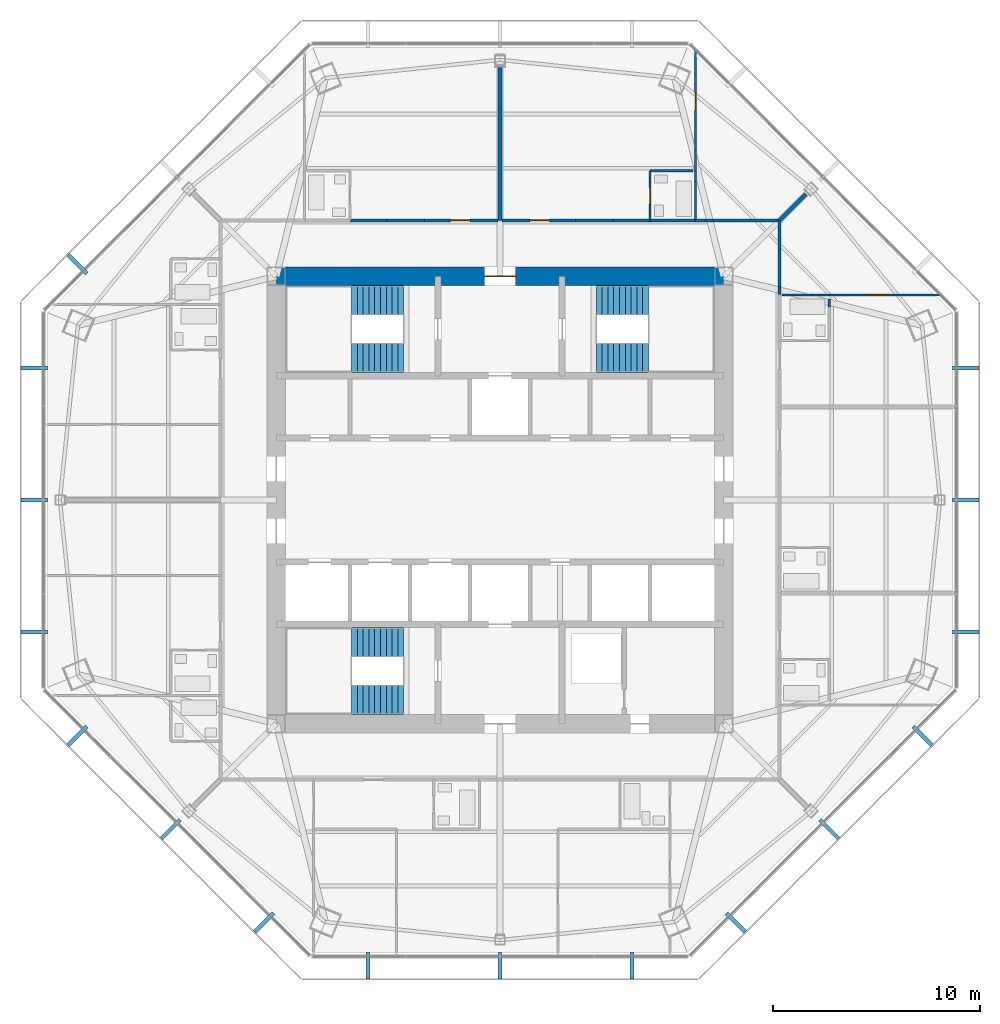
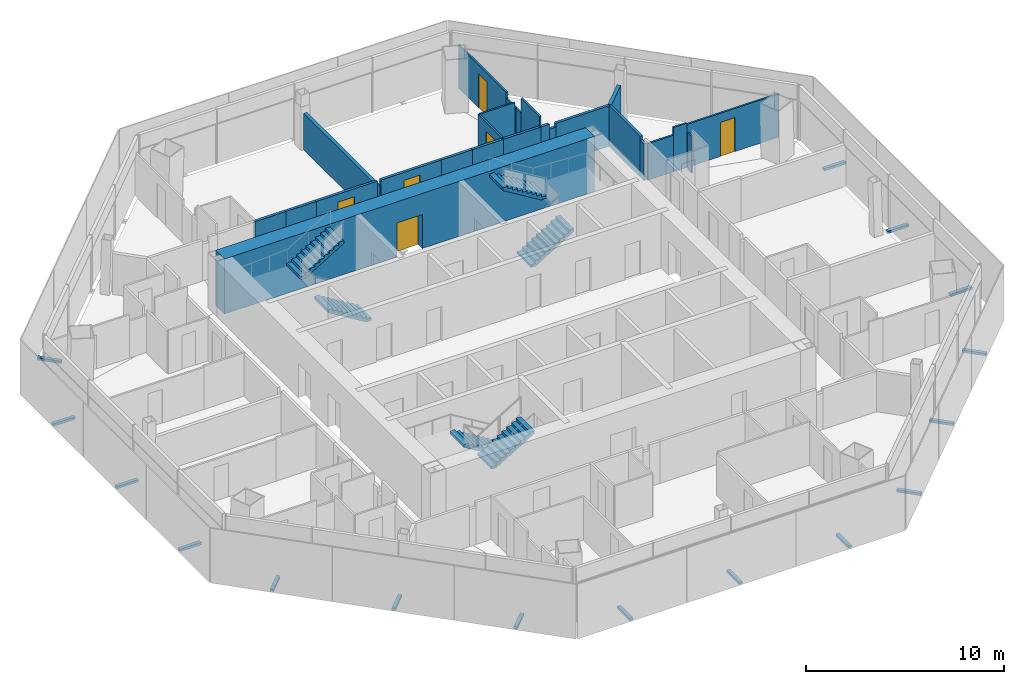
# One storey, part 12 of 15: 25 walls, 16 discrete accessories, 6 doors, 6 stair flights, 6 openings, 3 elements without a shape of their own.
"""IFC4 building model written with IfcOpenShell, lengths in metres."""

from ifc_helpers import new_model, si_unit, direction, frame, frame_2d, origin, origin_2d, place, context, subcontext, project, spatial, polyline, rectangle, outline, extrude, source, transform, mapped, material, layer, layer_set, type_object, type_shapes, element, fill, aggregate, save


model = new_model("IFC4")

# Units and contexts
model_context = context("Model", 3, precision=1e-05, world=origin(), true_north=direction((0.0, 1.0)))
body_context = subcontext(model_context, "Body", "Model", "MODEL_VIEW")
ifc_project = project(units=[si_unit("LENGTHUNIT", "METRE"), si_unit("AREAUNIT", "SQUARE_METRE"), si_unit("VOLUMEUNIT", "CUBIC_METRE"), si_unit("PLANEANGLEUNIT", "RADIAN"), si_unit("MASSUNIT", "GRAM", prefix="KILO")], contexts=[model_context])

# Site, building, storey
site_placement = place(None, origin())
site = spatial("IfcSite", under=ifc_project, at=site_placement, CompositionType="ELEMENT")
building_placement = place(site_placement, origin())
building = spatial("IfcBuilding", under=site, at=building_placement, Name="Mashrafa Tower", CompositionType="ELEMENT")
storey_placement = place(building_placement, frame((0.0, 0.0, 210.800048828125)))
storey = spatial("IfcBuildingStorey", under=building, at=storey_placement, Name="L48", CompositionType="ELEMENT", Elevation=210.800048828125)

# Walls
ifc_material_1 = material(Name="Gypsum board on steel studs", Category="steel")
ifc_layer_1 = layer(ifc_material_1, 0.199951171875)
ifc_layer_set_1 = layer_set([ifc_layer_1], Name="Acoustic partition 200 1 hr")
wall_type_1 = type_object("IfcWallType", Name="Acoustic partition 200 1 hr", PredefinedType="PARTITIONING", material=ifc_layer_set_1)
wall_1_placement = place(storey_placement, frame((14.768798828125, 14.768798828125, 0.0), z_axis=(0.0, 0.0, 1.0), x_axis=(-0.707106781187, -0.707106781187, 0.0)))
element("IfcWall", 1, at=wall_1_placement, inside=storey, type_object=wall_type_1, Name="Acoustic wall L48-076", PredefinedType="PARTITIONING", context=body_context, shape_type="SweptSolid", body=[
    extrude(rectangle(XDim=1.79443359375, YDim=0.199951171875, at=frame_2d((0.897216796875, 0.0))), origin(), (0.0, 0.0, 1.0), 2.51171875),
])
wall_2_placement = place(storey_placement, frame((0.0, 20.88623046875, 0.0), z_axis=(0.0, 0.0, 1.0), x_axis=(0.0, -1.0, 0.0)))
element("IfcWall", 2, at=wall_2_placement, inside=storey, type_object=wall_type_1, Name="Acoustic wall L48-086", PredefinedType="PARTITIONING", context=body_context, shape_type="SweptSolid", body=[
    extrude(rectangle(XDim=7.38623046875, YDim=0.199951171875, at=frame_2d((3.693115234375, 0.0))), origin(), (0.0, 0.0, 1.0), 2.2529296875),
])

# Wall, opening, door
ifc_material_2 = material(Name="Concrete C50/60", Category="concrete")
ifc_layer_2 = layer(ifc_material_2, 0.89990234375)
ifc_layer_set_2 = layer_set([ifc_layer_2], Name="Core wall 900 C50/60")
wall_type_2 = type_object("IfcWallType", Name="Core wall 900 C50/60", PredefinedType="SOLIDWALL", material=ifc_layer_set_2)
wall_3_placement = place(storey_placement, frame((10.800048828125, 10.800048828125, 0.0), z_axis=(0.0, 0.0, 1.0), x_axis=(-1.0, 0.0, 0.0)))
wall_3 = element("IfcWall", 3, at=wall_3_placement, inside=storey, type_object=wall_type_2, Name="Core wall CW-N L48", PredefinedType="SOLIDWALL", context=body_context, shape_type="SweptSolid", body=[
    extrude(rectangle(XDim=21.60009765625, YDim=0.89990234375, at=frame_2d((10.800048828125, 0.0))), origin(), (0.0, 0.0, 1.0), 3.39990234375),
])
opening_1_placement = place(wall_3_placement, frame((10.050048828125, 0.0, 0.0)))
opening_1 = element("IfcOpeningElement", 4, at=opening_1_placement, cuts=wall_3, Name="Opening 48.036", PredefinedType="OPENING", context=body_context, shape_type="SweptSolid", body=[
    extrude(rectangle(XDim=1.5, YDim=2.10009765625, at=frame_2d((0.75, 1.050048828125))), frame((0.0, 0.4599609375, 0.0), z_axis=(0.0, -1.0, 0.0), x_axis=(1.0, 0.0, 0.0)), (0.0, 0.0, 1.0), 0.919921875),
])
ifc_material_3 = material(Name="Steel door", Category="steel")
door_type_1 = type_object("IfcDoorType", Name="Lobby door pair 1500 x 2100 90 min", OperationType="DOUBLE_DOOR_SINGLE_SWING", PredefinedType="DOOR", material=ifc_material_3)
door_1_placement = place(opening_1_placement, origin())
door_1 = element("IfcDoor", 5, at=door_1_placement, inside=storey, type_object=door_type_1, Name="Fire-fighting lobby F1 door L48", OperationType="DOUBLE_DOOR_SINGLE_SWING", OverallHeight=2.10009765625, OverallWidth=1.5, PredefinedType="DOOR", context=body_context, shape_type="SweptSolid", body=[
    extrude(rectangle(XDim=1.5, YDim=2.10009765625, at=frame_2d((0.75, 1.050048828125))), frame((0.0, 0.02490234375, 0.0), z_axis=(0.0, -1.0, 0.0), x_axis=(1.0, 0.0, 0.0)), (0.0, 0.0, 1.0), 0.050048828125),
])
fill(opening_1, door_1)

# Walls
ifc_material_4 = material(Name="Gypsum board on steel studs", Category="steel")
ifc_layer_3 = layer(ifc_material_4, 0.14990234375)
ifc_layer_set_3 = layer_set([ifc_layer_3], Name="Corridor partition 150 1 hr")
wall_type_3 = type_object("IfcWallType", Name="Corridor partition 150 1 hr", PredefinedType="PARTITIONING", material=ifc_layer_set_3)
wall_4_placement = place(storey_placement, frame((13.5, 10.30517578125, 0.0), z_axis=(0.0, 0.0, 1.0), x_axis=(0.0, 1.0, 0.0)))
element("IfcWall", 6, at=wall_4_placement, inside=storey, type_object=wall_type_3, Name="Corridor wall L48-012", PredefinedType="PARTITIONING", context=body_context, shape_type="SweptSolid", body=[
    extrude(rectangle(XDim=3.19482421875, YDim=0.14990234375, at=frame_2d((1.597412109375, 0.0))), origin(), (0.0, 0.0, 1.0), 2.51171875),
])
wall_5_placement = place(storey_placement, frame((13.5, 9.928955078125, 0.0), z_axis=(0.0, 0.0, 1.0), x_axis=(0.0, 1.0, 0.0)))
element("IfcWall", 7, at=wall_5_placement, inside=storey, type_object=wall_type_3, Name="Corridor wall L48-013", PredefinedType="PARTITIONING", context=body_context, shape_type="SweptSolid", body=[
    extrude(rectangle(XDim=0.376220703125, YDim=0.14990234375, at=frame_2d((0.18798828125, 0.0))), origin(), (0.0, 0.0, 1.0), 2.26806640625),
])
wall_6_placement = place(storey_placement, frame((13.5, 13.5, 0.0), z_axis=(0.0, 0.0, 1.0), x_axis=(-1.0, 0.0, 0.0)))
element("IfcWall", 8, at=wall_6_placement, inside=storey, type_object=wall_type_3, Name="Corridor wall L48-017", PredefinedType="PARTITIONING", context=body_context, shape_type="SweptSolid", body=[
    extrude(rectangle(XDim=3.19482421875, YDim=0.14990234375, at=frame_2d((1.597412109375, 0.0))), origin(), (0.0, 0.0, 1.0), 2.51171875),
])
wall_7_placement = place(storey_placement, frame((9.928955078125, 13.5, 0.0), z_axis=(0.0, 0.0, 1.0), x_axis=(-1.0, 0.0, 0.0)))
element("IfcWall", 9, at=wall_7_placement, inside=storey, type_object=wall_type_3, Name="Corridor wall L48-018", PredefinedType="PARTITIONING", context=body_context, shape_type="SweptSolid", body=[
    extrude(rectangle(XDim=0.47998046875, YDim=0.14990234375, at=frame_2d((0.239990234375, 0.0))), origin(), (0.0, 0.0, 1.0), 2.590576171875),
])
wall_8_placement = place(storey_placement, frame((10.30517578125, 13.5, 0.0), z_axis=(0.0, 0.0, 1.0), x_axis=(-1.0, 0.0, 0.0)))
element("IfcWall", 10, at=wall_8_placement, inside=storey, type_object=wall_type_3, Name="Corridor wall L48-019", PredefinedType="PARTITIONING", context=body_context, shape_type="SweptSolid", body=[
    extrude(rectangle(XDim=0.376220703125, YDim=0.14990234375, at=frame_2d((0.18798828125, 0.0))), origin(), (0.0, 0.0, 1.0), 2.26806640625),
])
wall_9_placement = place(storey_placement, frame((9.450927734375, 13.5, 0.0), z_axis=(0.0, 0.0, 1.0), x_axis=(-1.0, 0.0, 0.0)))
element("IfcWall", 11, at=wall_9_placement, inside=storey, type_object=wall_type_3, Name="Corridor wall L48-020", PredefinedType="PARTITIONING", context=body_context, shape_type="SweptSolid", body=[
    extrude(rectangle(XDim=2.201904296875, YDim=0.14990234375, at=frame_2d((1.10107421875, 0.0))), origin(), (0.0, 0.0, 1.0), 2.590576171875),
])
wall_10_placement = place(storey_placement, frame((5.450927734375, 13.5, 0.0), z_axis=(0.0, 0.0, 1.0), x_axis=(-1.0, 0.0, 0.0)))
element("IfcWall", 12, at=wall_10_placement, inside=storey, type_object=wall_type_3, Name="Corridor wall L48-021", PredefinedType="PARTITIONING", context=body_context, shape_type="SweptSolid", body=[
    extrude(rectangle(XDim=1.802001953125, YDim=0.14990234375, at=frame_2d((0.90087890625, 0.0))), origin(), (0.0, 0.0, 1.0), 2.590576171875),
])

# Wall, opening, door
wall_11_placement = place(storey_placement, frame((3.65087890625, 13.5, 0.0), z_axis=(0.0, 0.0, 1.0), x_axis=(-1.0, 0.0, 0.0)))
wall_11 = element("IfcWall", 13, at=wall_11_placement, inside=storey, type_object=wall_type_3, Name="Corridor wall L48-022", PredefinedType="PARTITIONING", context=body_context, shape_type="SweptSolid", body=[
    extrude(rectangle(XDim=3.548828125, YDim=0.14990234375, at=frame_2d((1.7744140625, 0.0))), origin(), (0.0, 0.0, 1.0), 2.590576171875),
])
opening_2_placement = place(wall_11_placement, frame((1.2587890625, 0.0, 0.0)))
opening_2 = element("IfcOpeningElement", 14, at=opening_2_placement, cuts=wall_11, Name="Opening 48.011", PredefinedType="OPENING", context=body_context, shape_type="SweptSolid", body=[
    extrude(rectangle(XDim=0.949951171875, YDim=2.10009765625, at=frame_2d((0.47509765625, 1.050048828125))), frame((0.0, 0.0849609375, 0.0), z_axis=(0.0, -1.0, 0.0), x_axis=(1.0, 0.0, 0.0)), (0.0, 0.0, 1.0), 0.169921875),
])
ifc_material_5 = material(Name="Steel door", Category="steel")
door_type_2 = type_object("IfcDoorType", Name="Residence entrance door 950 x 2100 20 min", OperationType="USERDEFINED", PredefinedType="DOOR", material=ifc_material_5)
door_2_placement = place(opening_2_placement, frame((0.949951171875, 0.0, 0.0), z_axis=(0.0, 0.0, 1.0), x_axis=(-1.0, 0.0, 0.0)))
door_2 = element("IfcDoor", 15, at=door_2_placement, inside=storey, type_object=door_type_2, Name="Apartment 4804 Living Room door", OperationType="SINGLE_SWING_RIGHT", OverallHeight=2.10009765625, OverallWidth=0.949951171875, PredefinedType="DOOR", context=body_context, shape_type="SweptSolid", body=[
    extrude(rectangle(XDim=0.949951171875, YDim=2.10009765625, at=frame_2d((0.47509765625, 1.050048828125))), frame((0.0, 0.02490234375, 0.0), z_axis=(0.0, -1.0, 0.0), x_axis=(1.0, 0.0, 0.0)), (0.0, 0.0, 1.0), 0.050048828125),
])
fill(opening_2, door_2)

# Walls
for number, where, z_axis, x_axis, name in (
    (16, (7.2509765625, 13.5, 0.0), (0.0, 0.0, 1.0), (-1.0, 0.0, 0.0), "Corridor wall L48-023"),
    (17, (-3.64892578125, 13.5, 0.0), (0.0, 0.0, 1.0), (-1.0, 0.0, 0.0), "Corridor wall L48-028"),
    (18, (-5.448974609375, 13.5, 0.0), (0.0, 0.0, 1.0), (-1.0, 0.0, 0.0), "Corridor wall L48-029"),
):
    element("IfcWall", number, at=place(storey_placement, frame(where, z_axis=z_axis, x_axis=x_axis)), inside=storey, type_object=wall_type_3, Name=name, PredefinedType="PARTITIONING", context=body_context, shape_type="SweptSolid", body=[
        extrude(rectangle(XDim=1.802001953125, YDim=0.14990234375, at=frame_2d((0.90087890625, 0.0))), origin(), (0.0, 0.0, 1.0), 2.590576171875),
    ])

# Wall, opening, door
wall_12_placement = place(storey_placement, frame((-0.10205078125, 13.5, 0.0), z_axis=(0.0, 0.0, 1.0), x_axis=(-1.0, 0.0, 0.0)))
wall_12 = element("IfcWall", 19, at=wall_12_placement, inside=storey, type_object=wall_type_3, Name="Corridor wall L48-030", PredefinedType="PARTITIONING", context=body_context, shape_type="SweptSolid", body=[
    extrude(rectangle(XDim=3.548828125, YDim=0.14990234375, at=frame_2d((1.7744140625, 0.0))), origin(), (0.0, 0.0, 1.0), 2.590576171875),
])
opening_3_placement = place(wall_12_placement, frame((1.34033203125, 0.0, 0.0)))
opening_3 = element("IfcOpeningElement", 20, at=opening_3_placement, cuts=wall_12, Name="Opening 48.014", PredefinedType="OPENING", context=body_context, shape_type="SweptSolid", body=[
    extrude(rectangle(XDim=0.949951171875, YDim=2.10009765625, at=frame_2d((0.47509765625, 1.050048828125))), frame((0.0, 0.0849609375, 0.0), z_axis=(0.0, -1.0, 0.0), x_axis=(1.0, 0.0, 0.0)), (0.0, 0.0, 1.0), 0.169921875),
])
door_3_placement = place(opening_3_placement, frame((0.949951171875, 0.0, 0.0), z_axis=(0.0, 0.0, 1.0), x_axis=(-1.0, 0.0, 0.0)))
door_3 = element("IfcDoor", 21, at=door_3_placement, inside=storey, type_object=door_type_2, Name="Apartment 4805 Living Room door", OperationType="SINGLE_SWING_LEFT", OverallHeight=2.10009765625, OverallWidth=0.949951171875, PredefinedType="DOOR", context=body_context, shape_type="SweptSolid", body=[
    extrude(rectangle(XDim=0.949951171875, YDim=2.10009765625, at=frame_2d((0.47509765625, 1.050048828125))), frame((0.0, 0.02490234375, 0.0), z_axis=(0.0, -1.0, 0.0), x_axis=(1.0, 0.0, 0.0)), (0.0, 0.0, 1.0), 0.050048828125),
])
fill(opening_3, door_3)

# Walls
ifc_material_6 = material(Name="Gypsum board on steel studs", Category="steel")
ifc_layer_4 = layer(ifc_material_6, 0.10009765625)
ifc_layer_set_4 = layer_set([ifc_layer_4], Name="Partition 100")
wall_type_4 = type_object("IfcWallType", Name="Partition 100", PredefinedType="PARTITIONING", material=ifc_layer_set_4)
wall_13_placement = place(storey_placement, frame((15.101806640625, 9.89990234375, 0.0), z_axis=(0.0, 0.0, 1.0), x_axis=(1.0, 0.0, 0.0)))
element("IfcWall", 22, at=wall_13_placement, inside=storey, type_object=wall_type_4, Name="Partition wall L48-073", PredefinedType="PARTITIONING", context=body_context, shape_type="SweptSolid", body=[
    extrude(rectangle(XDim=0.799072265625, YDim=0.10009765625, at=frame_2d((0.3994140625, 0.0))), origin(), (0.0, 0.0, 1.0), 2.740234375),
])
wall_14_placement = place(storey_placement, frame((13.6142578125, 9.89990234375, 0.0), z_axis=(0.0, 0.0, 1.0), x_axis=(1.0, 0.0, 0.0)))
element("IfcWall", 23, at=wall_14_placement, inside=storey, type_object=wall_type_4, Name="Partition wall L48-074", PredefinedType="PARTITIONING", context=body_context, shape_type="SweptSolid", body=[
    extrude(rectangle(XDim=1.487548828125, YDim=0.10009765625, at=frame_2d((0.74365234375, 0.0))), origin(), (0.0, 0.0, 1.0), 2.26806640625),
])

# Wall, opening, door
wall_15_placement = place(storey_placement, frame((15.89892578125, 9.89990234375, 0.0), z_axis=(0.0, 0.0, 1.0), x_axis=(1.0, 0.0, 0.0)))
wall_15 = element("IfcWall", 24, at=wall_15_placement, inside=storey, type_object=wall_type_4, Name="Partition wall L48-075", PredefinedType="PARTITIONING", context=body_context, shape_type="SweptSolid", body=[
    extrude(rectangle(XDim=5.36474609375, YDim=0.10009765625, at=frame_2d((2.682373046875, 0.0))), origin(), (0.0, 0.0, 1.0), 2.6640625),
])
opening_4_placement = place(wall_15_placement, frame((1.9501953125, 0.0, 0.0)))
opening_4 = element("IfcOpeningElement", 25, at=opening_4_placement, cuts=wall_15, Name="Opening 48.006", PredefinedType="OPENING", context=body_context, shape_type="SweptSolid", body=[
    extrude(rectangle(XDim=0.85009765625, YDim=2.10009765625, at=frame_2d((0.425048828125, 1.050048828125))), frame((0.0, 0.06005859375, 0.0), z_axis=(0.0, -1.0, 0.0), x_axis=(1.0, 0.0, 0.0)), (0.0, 0.0, 1.0), 0.1201171875),
])
ifc_material_7 = material(Name="Timber door", Category="wood")
door_type_3 = type_object("IfcDoorType", Name="Bedroom door 850 x 2100", OperationType="USERDEFINED", PredefinedType="DOOR", material=ifc_material_7)
door_4_placement = place(opening_4_placement, origin())
door_4 = element("IfcDoor", 26, at=door_4_placement, inside=storey, type_object=door_type_3, Name="Apartment 4803 Bedroom 1 door", OperationType="SINGLE_SWING_RIGHT", OverallHeight=2.10009765625, OverallWidth=0.85009765625, PredefinedType="DOOR", context=body_context, shape_type="SweptSolid", body=[
    extrude(rectangle(XDim=0.85009765625, YDim=2.10009765625, at=frame_2d((0.425048828125, 1.050048828125))), frame((0.0, 0.02490234375, 0.0), z_axis=(0.0, -1.0, 0.0), x_axis=(1.0, 0.0, 0.0)), (0.0, 0.0, 1.0), 0.050048828125),
])
fill(opening_4, door_4)

# Walls
wall_16_placement = place(storey_placement, frame((15.89990234375, 9.322021484375, 0.0), z_axis=(0.0, 0.0, 1.0), x_axis=(0.0, 1.0, 0.0)))
element("IfcWall", 27, at=wall_16_placement, inside=storey, type_object=wall_type_4, Name="Partition wall L48-079", PredefinedType="PARTITIONING", context=body_context, shape_type="SweptSolid", body=[
    extrude(rectangle(XDim=0.3759765625, YDim=0.10009765625, at=frame_2d((0.18798828125, 0.0))), origin(), (0.0, 0.0, 1.0), 2.26806640625),
])
wall_17_placement = place(storey_placement, frame((9.449951171875, 15.393310546875, 0.0), z_axis=(0.0, 0.0, 1.0), x_axis=(0.0, -1.0, 0.0)))
element("IfcWall", 28, at=wall_17_placement, inside=storey, type_object=wall_type_4, Name="Partition wall L48-080", PredefinedType="PARTITIONING", context=body_context, shape_type="SweptSolid", body=[
    extrude(rectangle(XDim=1.893310546875, YDim=0.10009765625, at=frame_2d((0.94677734375, 0.0))), origin(), (0.0, 0.0, 1.0), 3.199951171875),
])
wall_18_placement = place(storey_placement, frame((9.449951171875, 15.90087890625, 0.0), z_axis=(0.0, 0.0, 1.0), x_axis=(0.0, -1.0, 0.0)))
element("IfcWall", 29, at=wall_18_placement, inside=storey, type_object=wall_type_4, Name="Partition wall L48-081", PredefinedType="PARTITIONING", context=body_context, shape_type="SweptSolid", body=[
    extrude(rectangle(XDim=0.507568359375, YDim=0.10009765625, at=frame_2d((0.25390625, 0.0))), origin(), (0.0, 0.0, 1.0), 2.26806640625),
])

# Wall, opening, door
wall_19_placement = place(storey_placement, frame((9.449951171875, 21.713623046875, 0.0), z_axis=(0.0, 0.0, 1.0), x_axis=(0.0, -1.0, 0.0)))
wall_19 = element("IfcWall", 30, at=wall_19_placement, inside=storey, type_object=wall_type_4, Name="Partition wall L48-082", PredefinedType="PARTITIONING", context=body_context, shape_type="SweptSolid", body=[
    extrude(rectangle(XDim=4.83251953125, YDim=0.10009765625, at=frame_2d((2.416259765625, 0.0))), origin(), (0.0, 0.0, 1.0), 2.6640625),
])
opening_5_placement = place(wall_19_placement, frame((2.044921875, 0.0, 0.0)))
opening_5 = element("IfcOpeningElement", 31, at=opening_5_placement, cuts=wall_19, Name="Opening 48.009", PredefinedType="OPENING", context=body_context, shape_type="SweptSolid", body=[
    extrude(rectangle(XDim=0.85009765625, YDim=2.10009765625, at=frame_2d((0.425048828125, 1.050048828125))), frame((0.0, 0.06005859375, 0.0), z_axis=(0.0, -1.0, 0.0), x_axis=(1.0, 0.0, 0.0)), (0.0, 0.0, 1.0), 0.1201171875),
])
door_5_placement = place(opening_5_placement, origin())
door_5 = element("IfcDoor", 32, at=door_5_placement, inside=storey, type_object=door_type_3, Name="Apartment 4804 Bedroom 1 door", OperationType="SINGLE_SWING_LEFT", OverallHeight=2.10009765625, OverallWidth=0.85009765625, PredefinedType="DOOR", context=body_context, shape_type="SweptSolid", body=[
    extrude(rectangle(XDim=0.85009765625, YDim=2.10009765625, at=frame_2d((0.425048828125, 1.050048828125))), frame((0.0, 0.02490234375, 0.0), z_axis=(0.0, -1.0, 0.0), x_axis=(1.0, 0.0, 0.0)), (0.0, 0.0, 1.0), 0.050048828125),
])
fill(opening_5, door_5)

# Walls
wall_20_placement = place(storey_placement, frame((9.449951171875, 16.881103515625, 0.0), z_axis=(0.0, 0.0, 1.0), x_axis=(0.0, -1.0, 0.0)))
element("IfcWall", 33, at=wall_20_placement, inside=storey, type_object=wall_type_4, Name="Partition wall L48-083", PredefinedType="PARTITIONING", context=body_context, shape_type="SweptSolid", body=[
    extrude(rectangle(XDim=0.982177734375, YDim=0.10009765625, at=frame_2d((0.4912109375, 0.0))), origin(), (0.0, 0.0, 1.0), 2.26806640625),
])
wall_21_placement = place(storey_placement, frame((9.322021484375, 15.89990234375, 0.0), z_axis=(0.0, 0.0, 1.0), x_axis=(-1.0, 0.0, 0.0)))
element("IfcWall", 34, at=wall_21_placement, inside=storey, type_object=wall_type_4, Name="Partition wall L48-084", PredefinedType="PARTITIONING", context=body_context, shape_type="SweptSolid", body=[
    extrude(rectangle(XDim=2.072021484375, YDim=0.10009765625, at=frame_2d((1.0361328125, 0.0))), origin(), (0.0, 0.0, 1.0), 2.6640625),
])

# Wall, opening, door
wall_22_placement = place(storey_placement, frame((7.25, 15.89990234375, 0.0), z_axis=(0.0, 0.0, 1.0), x_axis=(0.0, -1.0, 0.0)))
wall_22 = element("IfcWall", 35, at=wall_22_placement, inside=storey, type_object=wall_type_4, Name="Partition wall L48-085", PredefinedType="PARTITIONING", context=body_context, shape_type="SweptSolid", body=[
    extrude(rectangle(XDim=2.39990234375, YDim=0.10009765625, at=frame_2d((1.199951171875, 0.0))), origin(), (0.0, 0.0, 1.0), 2.6640625),
])
opening_6_placement = place(wall_22_placement, frame((0.800048828125, 0.0, 0.0)))
opening_6 = element("IfcOpeningElement", 36, at=opening_6_placement, cuts=wall_22, Name="Opening 48.010", PredefinedType="OPENING", context=body_context, shape_type="SweptSolid", body=[
    extrude(rectangle(XDim=0.800048828125, YDim=2.10009765625, at=frame_2d((0.39990234375, 1.050048828125))), frame((0.0, 0.06005859375, 0.0), z_axis=(0.0, -1.0, 0.0), x_axis=(1.0, 0.0, 0.0)), (0.0, 0.0, 1.0), 0.1201171875),
])
ifc_material_8 = material(Name="Timber door", Category="wood")
door_type_4 = type_object("IfcDoorType", Name="Bathroom door 800 x 2100", OperationType="USERDEFINED", PredefinedType="DOOR", material=ifc_material_8)
door_6_placement = place(opening_6_placement, origin())
door_6 = element("IfcDoor", 37, at=door_6_placement, inside=storey, type_object=door_type_4, Name="Apartment 4804 Bathroom door", OperationType="SINGLE_SWING_LEFT", OverallHeight=2.10009765625, OverallWidth=0.800048828125, PredefinedType="DOOR", context=body_context, shape_type="SweptSolid", body=[
    extrude(rectangle(XDim=0.800048828125, YDim=2.10009765625, at=frame_2d((0.39990234375, 1.050048828125))), frame((0.0, 0.02490234375, 0.0), z_axis=(0.0, -1.0, 0.0), x_axis=(1.0, 0.0, 0.0)), (0.0, 0.0, 1.0), 0.050048828125),
])
fill(opening_6, door_6)

# Stair, stair flights
ifc_material_9 = material(Name="Exit stair 1400")
stair_type = type_object("IfcStairType", Name="Exit stair 1400", PredefinedType="HALF_TURN_STAIR", material=ifc_material_9)
stair_1_placement = place(storey_placement, origin())
stair_1 = element("IfcStair", 38, at=stair_1_placement, inside=storey, type_object=stair_type, Name="Stair S1 L48", PredefinedType="HALF_TURN_STAIR")
ifc_material_10 = material(Name="Concrete C32/40", Category="concrete")
stair_flight_type = type_object("IfcStairFlightType", Name="Stair flight 1400", PredefinedType="STRAIGHT", material=ifc_material_10)
stair_flight_1_placement = place(storey_placement, frame((-4.64990234375, 6.85009765625, 0.0), z_axis=(0.0, 0.0, 1.0), x_axis=(-1.0, 0.0, 0.0)))
stair_flight_1 = element("IfcStairFlight", 39, at=stair_flight_1_placement, type_object=stair_flight_type, Name="S1 flight 1", NumberOfRisers=10, NumberOfTreads=9, PredefinedType="STRAIGHT", RiserHeight=0.17, TreadLength=0.28, context=body_context, shape_type="SweptSolid", body=[
    extrude(outline(polyline([(0.0, 0.0), (0.0, 0.169921875), (0.280029296875, 0.169921875), (0.280029296875, 0.340087890625), (0.56005859375, 0.340087890625), (0.56005859375, 0.510009765625), (0.840087890625, 0.510009765625), (0.840087890625, 0.679931640625), (1.1201171875, 0.679931640625), (1.1201171875, 0.85009765625), (1.39990234375, 0.85009765625), (1.39990234375, 1.02001953125), (1.679931640625, 1.02001953125), (1.679931640625, 1.18994140625), (1.9599609375, 1.18994140625), (1.9599609375, 1.360107421875), (2.239990234375, 1.360107421875), (2.239990234375, 1.530029296875), (2.52001953125, 1.530029296875), (2.52001953125, 1.699951171875), (2.52001953125, 1.354736328125), (0.288818359375, 0.0), (0.0, 0.0)])), frame((0.0, 0.699951171875, 0.0), z_axis=(0.0, -1.0, 0.0), x_axis=(1.0, 0.0, 0.0)), (0.0, 0.0, 1.0), 1.39990234375),
])
stair_flight_2_placement = place(storey_placement, frame((-7.169921875, 9.64990234375, 1.699951171875), z_axis=(0.0, 0.0, 1.0), x_axis=(1.0, 0.0, 0.0)))
stair_flight_2 = element("IfcStairFlight", 40, at=stair_flight_2_placement, type_object=stair_flight_type, Name="S1 flight 2", NumberOfRisers=10, NumberOfTreads=9, PredefinedType="STRAIGHT", RiserHeight=0.17, TreadLength=0.28, context=body_context, shape_type="SweptSolid", body=[
    extrude(outline(polyline([(0.0, 0.0), (0.0, 0.169921875), (0.280029296875, 0.169921875), (0.280029296875, 0.340087890625), (0.56005859375, 0.340087890625), (0.56005859375, 0.510009765625), (0.840087890625, 0.510009765625), (0.840087890625, 0.679931640625), (1.1201171875, 0.679931640625), (1.1201171875, 0.85009765625), (1.39990234375, 0.85009765625), (1.39990234375, 1.02001953125), (1.679931640625, 1.02001953125), (1.679931640625, 1.18994140625), (1.9599609375, 1.18994140625), (1.9599609375, 1.360107421875), (2.239990234375, 1.360107421875), (2.239990234375, 1.530029296875), (2.52001953125, 1.530029296875), (2.52001953125, 1.699951171875), (2.52001953125, 1.354736328125), (0.288818359375, 0.0), (0.0, 0.0)])), frame((0.0, 0.699951171875, 0.0), z_axis=(0.0, -1.0, 0.0), x_axis=(1.0, 0.0, 0.0)), (0.0, 0.0, 1.0), 1.39990234375),
])
aggregate(stair_1, [stair_flight_1, stair_flight_2])

stair_2_placement = place(storey_placement, origin())
stair_2 = element("IfcStair", 41, at=stair_2_placement, inside=storey, type_object=stair_type, Name="Stair S2 L48", PredefinedType="HALF_TURN_STAIR")
stair_flight_3_placement = place(storey_placement, frame((4.64990234375, 6.85009765625, 0.0), z_axis=(0.0, 0.0, 1.0), x_axis=(1.0, 0.0, 0.0)))
stair_flight_3 = element("IfcStairFlight", 42, at=stair_flight_3_placement, type_object=stair_flight_type, Name="S2 flight 1", NumberOfRisers=10, NumberOfTreads=9, PredefinedType="STRAIGHT", RiserHeight=0.17, TreadLength=0.28, context=body_context, shape_type="SweptSolid", body=[
    extrude(outline(polyline([(0.0, 0.0), (0.0, 0.169921875), (0.280029296875, 0.169921875), (0.280029296875, 0.340087890625), (0.56005859375, 0.340087890625), (0.56005859375, 0.510009765625), (0.840087890625, 0.510009765625), (0.840087890625, 0.679931640625), (1.1201171875, 0.679931640625), (1.1201171875, 0.85009765625), (1.39990234375, 0.85009765625), (1.39990234375, 1.02001953125), (1.679931640625, 1.02001953125), (1.679931640625, 1.18994140625), (1.9599609375, 1.18994140625), (1.9599609375, 1.360107421875), (2.239990234375, 1.360107421875), (2.239990234375, 1.530029296875), (2.52001953125, 1.530029296875), (2.52001953125, 1.699951171875), (2.52001953125, 1.354736328125), (0.288818359375, 0.0), (0.0, 0.0)])), frame((0.0, 0.699951171875, 0.0), z_axis=(0.0, -1.0, 0.0), x_axis=(1.0, 0.0, 0.0)), (0.0, 0.0, 1.0), 1.39990234375),
])
stair_flight_4_placement = place(storey_placement, frame((7.169921875, 9.64990234375, 1.699951171875), z_axis=(0.0, 0.0, 1.0), x_axis=(-1.0, 0.0, 0.0)))
stair_flight_4 = element("IfcStairFlight", 43, at=stair_flight_4_placement, type_object=stair_flight_type, Name="S2 flight 2", NumberOfRisers=10, NumberOfTreads=9, PredefinedType="STRAIGHT", RiserHeight=0.17, TreadLength=0.28, context=body_context, shape_type="SweptSolid", body=[
    extrude(outline(polyline([(0.0, 0.0), (0.0, 0.169921875), (0.280029296875, 0.169921875), (0.280029296875, 0.340087890625), (0.56005859375, 0.340087890625), (0.56005859375, 0.510009765625), (0.840087890625, 0.510009765625), (0.840087890625, 0.679931640625), (1.1201171875, 0.679931640625), (1.1201171875, 0.85009765625), (1.39990234375, 0.85009765625), (1.39990234375, 1.02001953125), (1.679931640625, 1.02001953125), (1.679931640625, 1.18994140625), (1.9599609375, 1.18994140625), (1.9599609375, 1.360107421875), (2.239990234375, 1.360107421875), (2.239990234375, 1.530029296875), (2.52001953125, 1.530029296875), (2.52001953125, 1.699951171875), (2.52001953125, 1.354736328125), (0.288818359375, 0.0), (0.0, 0.0)])), frame((0.0, 0.699951171875, 0.0), z_axis=(0.0, -1.0, 0.0), x_axis=(1.0, 0.0, 0.0)), (0.0, 0.0, 1.0), 1.39990234375),
])
aggregate(stair_2, [stair_flight_3, stair_flight_4])

stair_3_placement = place(storey_placement, origin())
stair_3 = element("IfcStair", 44, at=stair_3_placement, inside=storey, type_object=stair_type, Name="Stair S3 L48", PredefinedType="HALF_TURN_STAIR")
stair_flight_5_placement = place(storey_placement, frame((-4.64990234375, -6.85009765625, 0.0), z_axis=(0.0, 0.0, 1.0), x_axis=(-1.0, 0.0, 0.0)))
stair_flight_5 = element("IfcStairFlight", 45, at=stair_flight_5_placement, type_object=stair_flight_type, Name="S3 flight 1", NumberOfRisers=10, NumberOfTreads=9, PredefinedType="STRAIGHT", RiserHeight=0.17, TreadLength=0.28, context=body_context, shape_type="SweptSolid", body=[
    extrude(outline(polyline([(0.0, 0.0), (0.0, 0.169921875), (0.280029296875, 0.169921875), (0.280029296875, 0.340087890625), (0.56005859375, 0.340087890625), (0.56005859375, 0.510009765625), (0.840087890625, 0.510009765625), (0.840087890625, 0.679931640625), (1.1201171875, 0.679931640625), (1.1201171875, 0.85009765625), (1.39990234375, 0.85009765625), (1.39990234375, 1.02001953125), (1.679931640625, 1.02001953125), (1.679931640625, 1.18994140625), (1.9599609375, 1.18994140625), (1.9599609375, 1.360107421875), (2.239990234375, 1.360107421875), (2.239990234375, 1.530029296875), (2.52001953125, 1.530029296875), (2.52001953125, 1.699951171875), (2.52001953125, 1.354736328125), (0.288818359375, 0.0), (0.0, 0.0)])), frame((0.0, 0.699951171875, 0.0), z_axis=(0.0, -1.0, 0.0), x_axis=(1.0, 0.0, 0.0)), (0.0, 0.0, 1.0), 1.39990234375),
])
stair_flight_6_placement = place(storey_placement, frame((-7.169921875, -9.64990234375, 1.699951171875), z_axis=(0.0, 0.0, 1.0), x_axis=(1.0, 0.0, 0.0)))
stair_flight_6 = element("IfcStairFlight", 46, at=stair_flight_6_placement, type_object=stair_flight_type, Name="S3 flight 2", NumberOfRisers=10, NumberOfTreads=9, PredefinedType="STRAIGHT", RiserHeight=0.17, TreadLength=0.28, context=body_context, shape_type="SweptSolid", body=[
    extrude(outline(polyline([(0.0, 0.0), (0.0, 0.169921875), (0.280029296875, 0.169921875), (0.280029296875, 0.340087890625), (0.56005859375, 0.340087890625), (0.56005859375, 0.510009765625), (0.840087890625, 0.510009765625), (0.840087890625, 0.679931640625), (1.1201171875, 0.679931640625), (1.1201171875, 0.85009765625), (1.39990234375, 0.85009765625), (1.39990234375, 1.02001953125), (1.679931640625, 1.02001953125), (1.679931640625, 1.18994140625), (1.9599609375, 1.18994140625), (1.9599609375, 1.360107421875), (2.239990234375, 1.360107421875), (2.239990234375, 1.530029296875), (2.52001953125, 1.530029296875), (2.52001953125, 1.699951171875), (2.52001953125, 1.354736328125), (0.288818359375, 0.0), (0.0, 0.0)])), frame((0.0, 0.699951171875, 0.0), z_axis=(0.0, -1.0, 0.0), x_axis=(1.0, 0.0, 0.0)), (0.0, 0.0, 1.0), 1.39990234375),
])
aggregate(stair_3, [stair_flight_5, stair_flight_6])

# Discrete accessories
ifc_material_11 = material(Name="Stainless steel screen bracket", Category="steel")
discrete_accessory_type = type_object("IfcDiscreteAccessoryType", Name="Screen support bracket 200 x 150", PredefinedType="BRACKET", material=ifc_material_11)
shared_shape = source(origin(), body_context, "Body", "SweptSolid", [
    extrude(rectangle(XDim=0.199951171875, YDim=1.27001953125, at=origin_2d()), origin(), (0.0, 0.0, 1.0), 0.14990234375),
])
type_shapes(discrete_accessory_type, [shared_shape])
for number, where, z_axis, x_axis, name in (
    (47, (22.486572265625, -6.378173828125, -0.14990234375), (0.0, 0.0, 1.0), (0.0, 1.0, 0.0), "Screen support bracket L48 east 1"),
    (48, (22.486572265625, 0.0, -0.14990234375), (0.0, 0.0, 1.0), (0.0, 1.0, 0.0), "Screen support bracket L48 east 2"),
    (49, (22.486572265625, 6.378173828125, -0.14990234375), (0.0, 0.0, 1.0), (0.0, 1.0, 0.0), "Screen support bracket L48 east 3"),
    (50, (-20.410400390625, 11.390380859375, -0.14990234375), (0.0, 0.0, 1.0), (-0.707106781187, -0.707106781187, 0.0), "Screen support bracket L48 north-west 3"),
    (51, (-22.486572265625, 6.378173828125, -0.14990234375), (0.0, 0.0, 1.0), (0.0, -1.0, 0.0), "Screen support bracket L48 west 1"),
    (52, (-22.486572265625, 0.0, -0.14990234375), (0.0, 0.0, 1.0), (0.0, -1.0, 0.0), "Screen support bracket L48 west 2"),
    (53, (-22.486572265625, -6.378173828125, -0.14990234375), (0.0, 0.0, 1.0), (0.0, -1.0, 0.0), "Screen support bracket L48 west 3"),
    (54, (-20.410400390625, -11.390380859375, -0.14990234375), (0.0, 0.0, 1.0), (0.707106781187, -0.707106781187, 0.0), "Screen support bracket L48 south-west 1"),
    (55, (-15.900390625, -15.900390625, -0.14990234375), (0.0, 0.0, 1.0), (0.707106781187, -0.707106781187, 0.0), "Screen support bracket L48 south-west 2"),
    (56, (-11.390380859375, -20.410400390625, -0.14990234375), (0.0, 0.0, 1.0), (0.707106781187, -0.707106781187, 0.0), "Screen support bracket L48 south-west 3"),
    (57, (-6.378173828125, -22.486572265625, -0.14990234375), (0.0, 0.0, 1.0), (1.0, 0.0, 0.0), "Screen support bracket L48 south 1"),
    (58, (0.0, -22.486572265625, -0.14990234375), (0.0, 0.0, 1.0), (1.0, 0.0, 0.0), "Screen support bracket L48 south 2"),
    (59, (6.378173828125, -22.486572265625, -0.14990234375), (0.0, 0.0, 1.0), (1.0, 0.0, 0.0), "Screen support bracket L48 south 3"),
    (60, (11.390380859375, -20.410400390625, -0.14990234375), (0.0, 0.0, 1.0), (0.707106781187, 0.707106781187, 0.0), "Screen support bracket L48 south-east 1"),
    (61, (15.900390625, -15.900390625, -0.14990234375), (0.0, 0.0, 1.0), (0.707106781187, 0.707106781187, 0.0), "Screen support bracket L48 south-east 2"),
    (62, (20.410400390625, -11.390380859375, -0.14990234375), (0.0, 0.0, 1.0), (0.707106781187, 0.707106781187, 0.0), "Screen support bracket L48 south-east 3"),
):
    element("IfcDiscreteAccessory", number, at=place(storey_placement, frame(where, z_axis=z_axis, x_axis=x_axis)), inside=storey, type_object=discrete_accessory_type, Name=name, PredefinedType="BRACKET", context=body_context, shape_type="MappedRepresentation", body=[
        mapped(shared_shape, transform((0.0, 0.0, 0.0))),
    ])

save(model, "model.ifc")
